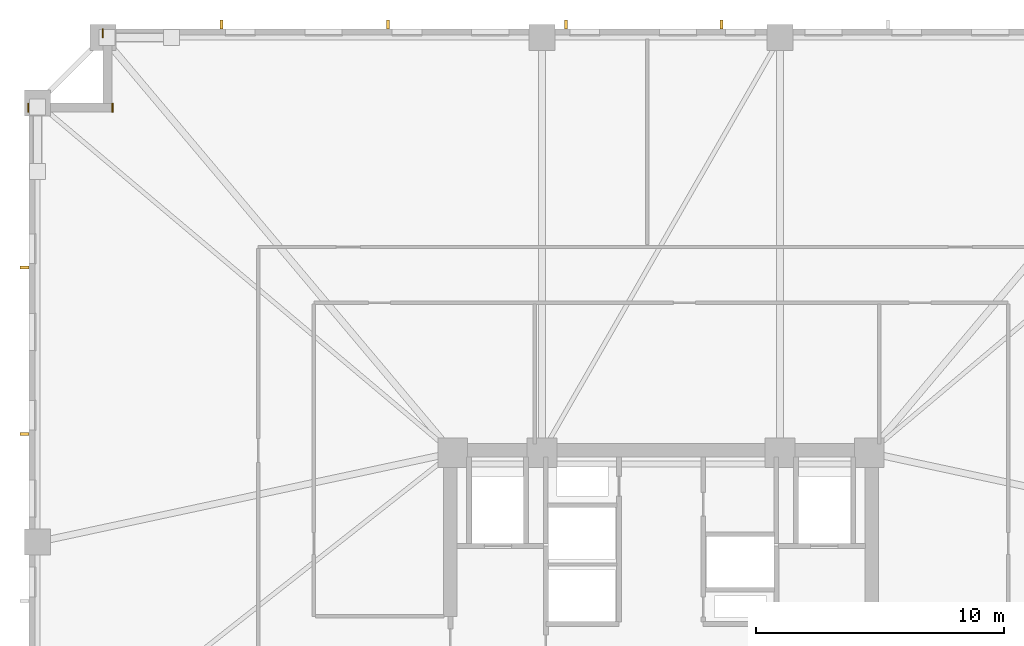
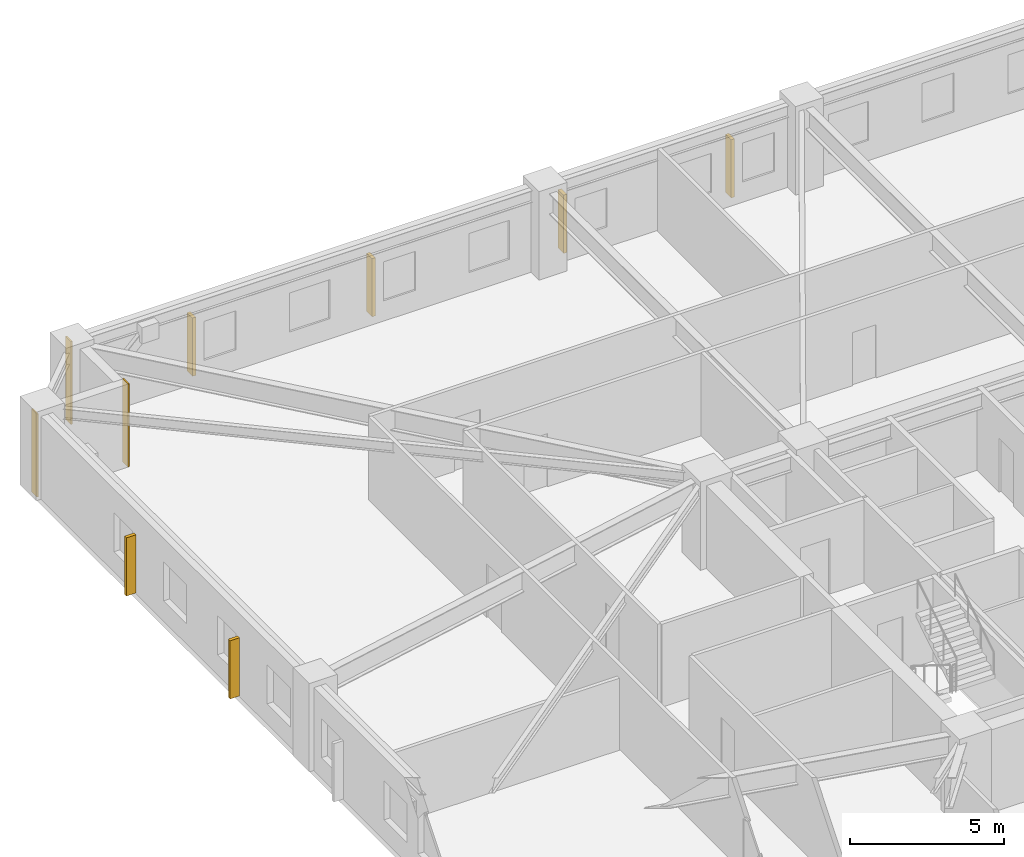
# One storey, part 10 of 11: 6 shading devices, 3 coverings.
"""IFC4 building model written with IfcOpenShell, lengths in metres."""

from ifc_helpers import new_model, si_unit, direction, frame, frame_2d, origin, origin_2d, place, context, subcontext, project, spatial, rectangle, extrude, material, layer, layer_set, type_object, element, save


model = new_model("IFC4")

# Units and contexts
model_context = context("Model", 3, precision=1e-05, world=origin(), true_north=direction((0.0, 1.0)))
body_context = subcontext(model_context, "Body", "Model", "MODEL_VIEW")
ifc_project = project(units=[si_unit("LENGTHUNIT", "METRE"), si_unit("AREAUNIT", "SQUARE_METRE"), si_unit("VOLUMEUNIT", "CUBIC_METRE"), si_unit("PLANEANGLEUNIT", "RADIAN"), si_unit("MASSUNIT", "GRAM", prefix="KILO")], contexts=[model_context])

# Site, building, storey
site_placement = place(None, origin())
site = spatial("IfcSite", under=ifc_project, at=site_placement, CompositionType="ELEMENT")
building_placement = place(site_placement, origin())
building = spatial("IfcBuilding", under=site, at=building_placement, Name="Cairnveth Concourse Tower", CompositionType="ELEMENT")
storey_placement = place(building_placement, frame((0.0, 0.0, 41.0)))
storey = spatial("IfcBuildingStorey", under=building, at=storey_placement, Name="L10", CompositionType="ELEMENT", Elevation=41.0)

# Coverings
ifc_material_1 = material(Name="Dressed Melbourne Bluestone Cladding", Category="masonry")
ifc_layer = layer(ifc_material_1, 0.050048828125)
ifc_layer_set = layer_set([ifc_layer], Name="Dressed Melbourne Bluestone Cladding")
covering_type = type_object("IfcCoveringType", Name="DRESSED BLUESTONE PLINTH CLADDING 50", PredefinedType="CLADDING", material=ifc_layer_set)
for number, where, z_axis, x_axis, name in (
    (1, (26.47998046875, 61.139892578125, 0.0), (0.0, 0.0, 1.0), (0.0, 1.0, 0.0), "Melbourne Bluestone Corner Quoin L10-107"),
    (2, (29.8798828125, 61.139892578125, 0.0), (0.0, 0.0, 1.0), (0.0, 1.0, 0.0), "Melbourne Bluestone Corner Quoin L10-108"),
    (3, (29.47998046875, 64.139892578125, 0.0), (0.0, 0.0, 1.0), (0.0, 1.0, 0.0), "Melbourne Bluestone Corner Quoin L10-109"),
):
    element("IfcCovering", number, at=place(storey_placement, frame(where, z_axis=z_axis, x_axis=x_axis)), inside=storey, type_object=covering_type, Name=name, PredefinedType="CLADDING", context=body_context, shape_type="SweptSolid", body=[
        extrude(rectangle(XDim=0.360107421875, YDim=0.050048828125, at=frame_2d((0.18017578125, 0.0))), origin(), (0.0, 0.0, 1.0), 3.280029296875),
    ])

# Shading devices
ifc_material_2 = material(Name="Architectural Bronze Anodised Aluminium 6063-T6", Category="aluminium")
shading_device_type = type_object("IfcShadingDeviceType", Name="GOTHIC BRONZE VERTICAL LANCET FIN", PredefinedType="USERDEFINED", material=ifc_material_2)
for number, where, z_axis, x_axis, name in (
    (4, (26.324951171875, 48.151611328125, 0.02978515625), (0.0, 0.0, 1.0), (0.0, 1.0, 0.0), "Gothic Bronze Vertical Fin L10-3-9"),
    (5, (26.324951171875, 54.871826171875, 0.02978515625), (0.0, 0.0, 1.0), (0.0, 1.0, 0.0), "Gothic Bronze Vertical Fin L10-3-11"),
    (6, (34.27001953125, 64.675048828125, 0.02978515625), (0.0, 0.0, 1.0), (1.0, 0.0, 0.0), "Gothic Bronze Vertical Fin L10-6-1"),
    (7, (40.990478515625, 64.675048828125, 0.02978515625), (0.0, 0.0, 1.0), (1.0, 0.0, 0.0), "Gothic Bronze Vertical Fin L10-6-3"),
    (8, (48.160888671875, 64.675048828125, 0.02978515625), (0.0, 0.0, 1.0), (1.0, 0.0, 0.0), "Gothic Bronze Vertical Fin L10-6-5"),
    (9, (54.43115234375, 64.675048828125, 0.02978515625), (0.0, 0.0, 1.0), (1.0, 0.0, 0.0), "Gothic Bronze Vertical Fin L10-6-7"),
):
    element("IfcShadingDevice", number, at=place(storey_placement, frame(where, z_axis=z_axis, x_axis=x_axis)), inside=storey, type_object=shading_device_type, Name=name, ObjectType="VERTICAL FIN", PredefinedType="USERDEFINED", context=body_context, shape_type="SweptSolid", body=[
        extrude(rectangle(XDim=0.1201171875, YDim=0.360107421875, at=origin_2d()), origin(), (0.0, 0.0, 1.0), 2.303955078125),
    ])

save(model, "model.ifc")
